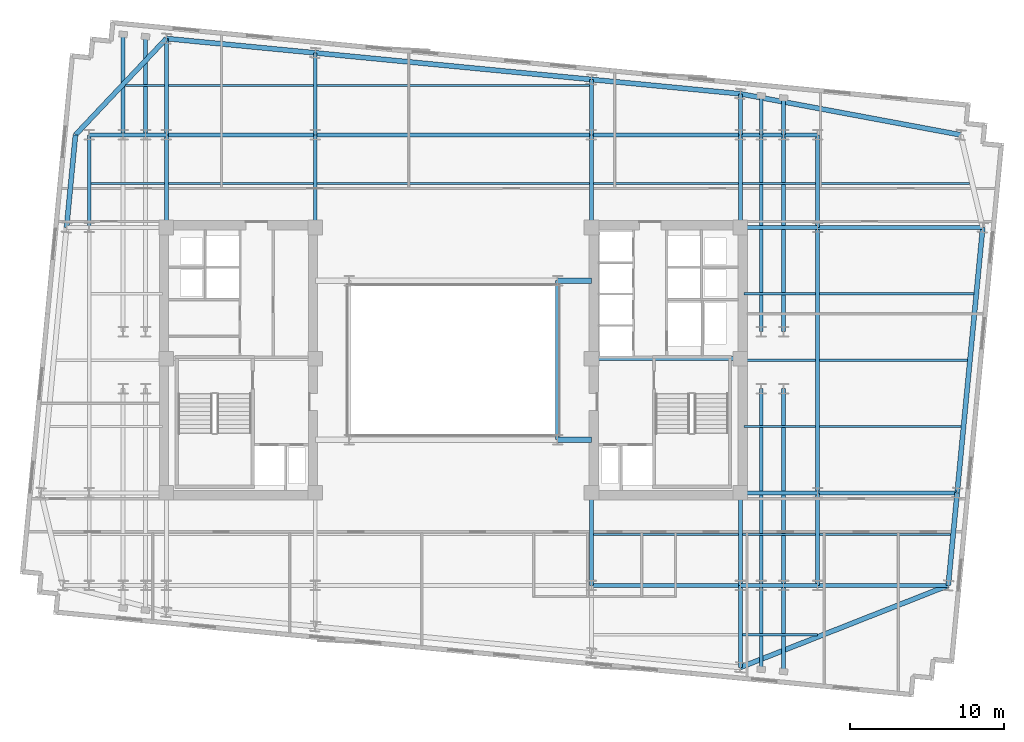
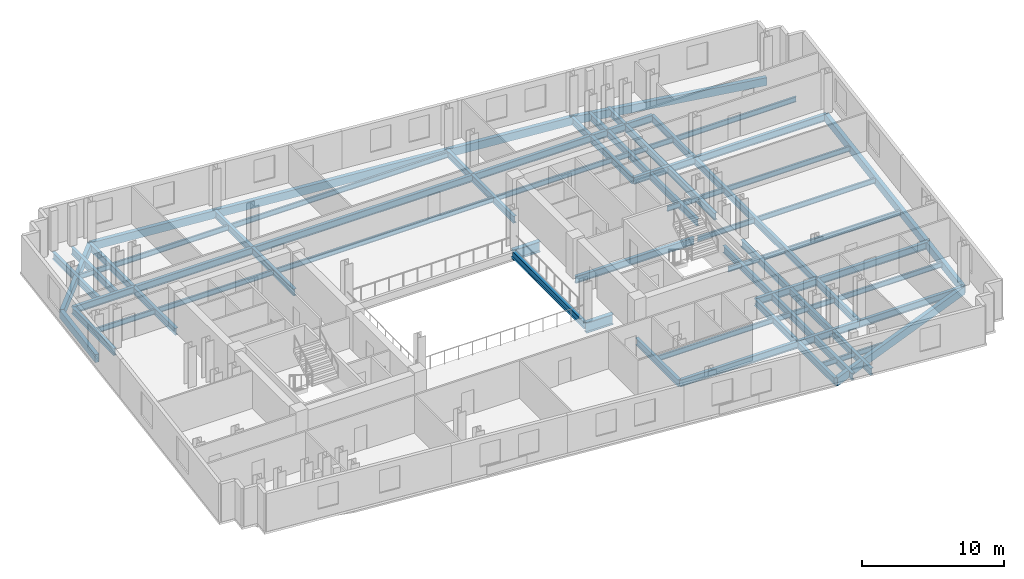
# One storey, part 2 of 9: 69 beams.
"""IFC4 building model written with IfcOpenShell, lengths in metres."""

from ifc_helpers import new_model, si_unit, direction, frame, origin, origin_2d, place, context, subcontext, project, spatial, rectangle, i_section, extrude, material, material_profile, profile_set, type_object, element, save


model = new_model("IFC4")

# Units and contexts
model_context = context("Model", 3, precision=1e-05, world=origin(), true_north=direction((0.0, 1.0)))
body_context = subcontext(model_context, "Body", "Model", "MODEL_VIEW")
ifc_project = project(units=[si_unit("LENGTHUNIT", "METRE"), si_unit("AREAUNIT", "SQUARE_METRE"), si_unit("VOLUMEUNIT", "CUBIC_METRE"), si_unit("PLANEANGLEUNIT", "RADIAN"), si_unit("MASSUNIT", "GRAM", prefix="KILO")], contexts=[model_context])

# Site, building, storey
site_placement = place(None, origin())
site = spatial("IfcSite", under=ifc_project, at=site_placement, CompositionType="ELEMENT")
building_placement = place(site_placement, origin())
building = spatial("IfcBuilding", under=site, at=building_placement, Name="Velakula Bourse", CompositionType="ELEMENT")
storey_placement = place(building_placement, frame((0.0, 0.0, 170.75)))
storey = spatial("IfcBuildingStorey", under=building, at=storey_placement, Name="L46", CompositionType="ELEMENT", Elevation=170.75)

# Beams
ifc_material_1 = material(Name="Steel IS 2062 Grade 350 (E350)", Category="steel")
ifc_material_profile_1 = material_profile(ifc_material_1, i_section(OverallWidth=0.25, OverallDepth=0.60009765625, WebThickness=0.01123046875, FlangeThickness=0.021240234375, at=origin_2d()), Name="Steel IS 2062 Grade 350 (E350)")
ifc_profile_set_1 = profile_set([ifc_material_profile_1], Name="Steel IS 2062 Grade 350 (E350)")
beam_type_1 = type_object("IfcBeamType", Name="BM-GRD-600M", PredefinedType="BEAM", material=ifc_profile_set_1)
beam_1_placement = place(storey_placement, frame((8.949951171875, 0.10009765625, -0.47998046875), z_axis=(1.0, 0.0, 0.0), x_axis=(0.0, 1.0, 0.0)))
element("IfcBeam", 1, at=beam_1_placement, inside=storey, type_object=beam_type_1, Name="L46 Primary Backbone Girder CRE-M", PredefinedType="BEAM", context=body_context, shape_type="SweptSolid", body=[
    extrude(i_section(OverallWidth=0.25, OverallDepth=0.60009765625, WebThickness=0.01123046875, FlangeThickness=0.021240234375, at=origin_2d()), origin(), (0.0, 0.0, 1.0), 9.650146484375),
])
beam_2_placement = place(storey_placement, frame((6.75, -5.14990234375, -0.47998046875), z_axis=(0.0, 1.0, 0.0), x_axis=(-1.0, 0.0, 0.0)))
element("IfcBeam", 2, at=beam_2_placement, inside=storey, type_object=beam_type_1, Name="L46 Primary Backbone Girder SPN-E", PredefinedType="BEAM", context=body_context, shape_type="SweptSolid", body=[
    extrude(i_section(OverallWidth=0.25, OverallDepth=0.60009765625, WebThickness=0.01123046875, FlangeThickness=0.021240234375, at=origin_2d()), origin(), (0.0, 0.0, 1.0), 10.2998046875),
])
for number, where, z_axis, x_axis, name in (
    (3, (-18.60009765625, 8.60009765625, -0.47998046875), (0.0, 1.0, 0.0), (-1.0, 0.0, 0.0), "L46 Fulcrum Grid Girder FLC-WN"),
    (4, (-8.949951171875, 8.60009765625, -0.47998046875), (0.0, 1.0, 0.0), (-1.0, 0.0, 0.0), "L46 Fulcrum Grid Girder FLC-WCN"),
    (5, (8.949951171875, -14.60009765625, -0.47998046875), (0.0, 1.0, 0.0), (-1.0, 0.0, 0.0), "L46 Fulcrum Grid Girder FLC-ECS"),
    (6, (8.949951171875, 8.60009765625, -0.47998046875), (0.0, 1.0, 0.0), (-1.0, 0.0, 0.0), "L46 Fulcrum Grid Girder FLC-ECN"),
    (7, (18.60009765625, -14.60009765625, -0.47998046875), (0.0, 1.0, 0.0), (-1.0, 0.0, 0.0), "L46 Fulcrum Grid Girder FLC-ES"),
    (8, (18.60009765625, 8.60009765625, -0.47998046875), (0.0, 1.0, 0.0), (-1.0, 0.0, 0.0), "L46 Fulcrum Grid Girder FLC-EN"),
):
    element("IfcBeam", number, at=place(storey_placement, frame(where, z_axis=z_axis, x_axis=x_axis)), inside=storey, type_object=beam_type_1, Name=name, PredefinedType="BEAM", context=body_context, shape_type="SweptSolid", body=[
        extrude(i_section(OverallWidth=0.25, OverallDepth=0.60009765625, WebThickness=0.01123046875, FlangeThickness=0.021240234375, at=origin_2d()), origin(), (0.0, 0.0, 1.0), 6.0),
    ])
for number, where, z_axis, x_axis, name in (
    (9, (8.949951171875, -14.60009765625, -0.47998046875), (1.0, 0.0, 0.0), (0.0, 1.0, 0.0), "L46 Fulcrum Grid Girder FLC-S3"),
    (10, (-18.60009765625, 14.60009765625, -0.47998046875), (1.0, 0.0, 0.0), (0.0, 1.0, 0.0), "L46 Fulcrum Grid Girder FLC-N1"),
):
    element("IfcBeam", number, at=place(storey_placement, frame(where, z_axis=z_axis, x_axis=x_axis)), inside=storey, type_object=beam_type_1, Name=name, PredefinedType="BEAM", context=body_context, shape_type="SweptSolid", body=[
        extrude(i_section(OverallWidth=0.25, OverallDepth=0.60009765625, WebThickness=0.01123046875, FlangeThickness=0.021240234375, at=origin_2d()), origin(), (0.0, 0.0, 1.0), 9.650146484375),
    ])
beam_3_placement = place(storey_placement, frame((-8.949951171875, 14.60009765625, -0.47998046875), z_axis=(1.0, 0.0, 0.0), x_axis=(0.0, 1.0, 0.0)))
element("IfcBeam", 11, at=beam_3_placement, inside=storey, type_object=beam_type_1, Name="L46 Fulcrum Grid Girder FLC-N2", PredefinedType="BEAM", context=body_context, shape_type="SweptSolid", body=[
    extrude(i_section(OverallWidth=0.25, OverallDepth=0.60009765625, WebThickness=0.01123046875, FlangeThickness=0.021240234375, at=origin_2d()), origin(), (0.0, 0.0, 1.0), 17.89990234375),
])
beam_4_placement = place(storey_placement, frame((8.949951171875, 14.60009765625, -0.47998046875), z_axis=(1.0, 0.0, 0.0), x_axis=(0.0, 1.0, 0.0)))
element("IfcBeam", 12, at=beam_4_placement, inside=storey, type_object=beam_type_1, Name="L46 Fulcrum Grid Girder FLC-N3", PredefinedType="BEAM", context=body_context, shape_type="SweptSolid", body=[
    extrude(i_section(OverallWidth=0.25, OverallDepth=0.60009765625, WebThickness=0.01123046875, FlangeThickness=0.021240234375, at=origin_2d()), origin(), (0.0, 0.0, 1.0), 9.650146484375),
])
for number, where, z_axis, x_axis, name in (
    (13, (19.949951171875, -14.60009765625, -0.47998046875), (0.0, 1.0, 0.0), (-1.0, 0.0, 0.0), "L46 Fulcrum Grid Girder FLC-PSE1"),
    (14, (19.949951171875, 1.85009765625, -0.47998046875), (0.0, 1.0, 0.0), (-1.0, 0.0, 0.0), "L46 Fulcrum Grid Girder FLC-PNE1"),
    (15, (21.39990234375, -14.60009765625, -0.47998046875), (0.0, 1.0, 0.0), (-1.0, 0.0, 0.0), "L46 Fulcrum Grid Girder FLC-PSE2"),
    (16, (21.39990234375, 1.85009765625, -0.47998046875), (0.0, 1.0, 0.0), (-1.0, 0.0, 0.0), "L46 Fulcrum Grid Girder FLC-PNE2"),
):
    element("IfcBeam", number, at=place(storey_placement, frame(where, z_axis=z_axis, x_axis=x_axis)), inside=storey, type_object=beam_type_1, Name=name, PredefinedType="BEAM", context=body_context, shape_type="SweptSolid", body=[
        extrude(i_section(OverallWidth=0.25, OverallDepth=0.60009765625, WebThickness=0.01123046875, FlangeThickness=0.021240234375, at=origin_2d()), origin(), (0.0, 0.0, 1.0), 12.75),
    ])
beam_5_placement = place(storey_placement, frame((-23.60009765625, 14.60009765625, -0.47998046875), z_axis=(1.0, 0.0, 0.0), x_axis=(0.0, 1.0, 0.0)))
element("IfcBeam", 17, at=beam_5_placement, inside=storey, type_object=beam_type_1, Name="L46 Fulcrum Grid Girder MWG-WN2", PredefinedType="BEAM", context=body_context, shape_type="SweptSolid", body=[
    extrude(i_section(OverallWidth=0.25, OverallDepth=0.60009765625, WebThickness=0.01123046875, FlangeThickness=0.021240234375, at=origin_2d()), origin(), (0.0, 0.0, 1.0), 5.0),
])
beam_6_placement = place(storey_placement, frame((-23.60009765625, 8.60009765625, -0.47998046875), z_axis=(0.0, 1.0, 0.0), x_axis=(-1.0, 0.0, 0.0)))
element("IfcBeam", 18, at=beam_6_placement, inside=storey, type_object=beam_type_1, Name="L46 Fulcrum Grid Girder MWG-WNS3", PredefinedType="BEAM", context=body_context, shape_type="SweptSolid", body=[
    extrude(i_section(OverallWidth=0.25, OverallDepth=0.60009765625, WebThickness=0.01123046875, FlangeThickness=0.021240234375, at=origin_2d()), origin(), (0.0, 0.0, 1.0), 6.0),
])
for number, where, z_axis, x_axis, name in (
    (19, (18.60009765625, -14.60009765625, -0.47998046875), (1.0, 0.0, 0.0), (0.0, 1.0, 0.0), "L46 Fulcrum Grid Girder MWG-ES1"),
    (20, (18.60009765625, -8.60009765625, -0.47998046875), (1.0, 0.0, 0.0), (0.0, 1.0, 0.0), "L46 Fulcrum Grid Girder MWG-ES2"),
    (21, (18.60009765625, 8.60009765625, -0.47998046875), (1.0, 0.0, 0.0), (0.0, 1.0, 0.0), "L46 Fulcrum Grid Girder MWG-EN1"),
    (22, (18.60009765625, 14.60009765625, -0.47998046875), (1.0, 0.0, 0.0), (0.0, 1.0, 0.0), "L46 Fulcrum Grid Girder MWG-EN2"),
):
    element("IfcBeam", number, at=place(storey_placement, frame(where, z_axis=z_axis, x_axis=x_axis)), inside=storey, type_object=beam_type_1, Name=name, PredefinedType="BEAM", context=body_context, shape_type="SweptSolid", body=[
        extrude(i_section(OverallWidth=0.25, OverallDepth=0.60009765625, WebThickness=0.01123046875, FlangeThickness=0.021240234375, at=origin_2d()), origin(), (0.0, 0.0, 1.0), 5.0),
    ])
beam_7_placement = place(storey_placement, frame((23.60009765625, -14.60009765625, -0.47998046875), z_axis=(0.0, 1.0, 0.0), x_axis=(-1.0, 0.0, 0.0)))
element("IfcBeam", 23, at=beam_7_placement, inside=storey, type_object=beam_type_1, Name="L46 Fulcrum Grid Girder MWG-ENS1", PredefinedType="BEAM", context=body_context, shape_type="SweptSolid", body=[
    extrude(i_section(OverallWidth=0.25, OverallDepth=0.60009765625, WebThickness=0.01123046875, FlangeThickness=0.021240234375, at=origin_2d()), origin(), (0.0, 0.0, 1.0), 6.0),
])
beam_8_placement = place(storey_placement, frame((23.60009765625, -8.60009765625, -0.47998046875), z_axis=(0.0, 1.0, 0.0), x_axis=(-1.0, 0.0, 0.0)))
element("IfcBeam", 24, at=beam_8_placement, inside=storey, type_object=beam_type_1, Name="L46 Fulcrum Grid Girder MWG-ENS2", PredefinedType="BEAM", context=body_context, shape_type="SweptSolid", body=[
    extrude(i_section(OverallWidth=0.25, OverallDepth=0.60009765625, WebThickness=0.01123046875, FlangeThickness=0.021240234375, at=origin_2d()), origin(), (0.0, 0.0, 1.0), 17.2001953125),
])
beam_9_placement = place(storey_placement, frame((23.60009765625, 8.60009765625, -0.47998046875), z_axis=(0.0, 1.0, 0.0), x_axis=(-1.0, 0.0, 0.0)))
element("IfcBeam", 25, at=beam_9_placement, inside=storey, type_object=beam_type_1, Name="L46 Fulcrum Grid Girder MWG-ENS3", PredefinedType="BEAM", context=body_context, shape_type="SweptSolid", body=[
    extrude(i_section(OverallWidth=0.25, OverallDepth=0.60009765625, WebThickness=0.01123046875, FlangeThickness=0.021240234375, at=origin_2d()), origin(), (0.0, 0.0, 1.0), 6.0),
])
beam_10_placement = place(storey_placement, frame((18.60009765625, -14.60009765625, -0.47998046875), z_axis=(0.0, -1.0, 0.0), x_axis=(1.0, 0.0, 0.0)))
element("IfcBeam", 26, at=beam_10_placement, inside=storey, type_object=beam_type_1, Name="L46 Perimeter Tie Girder S4", PredefinedType="BEAM", context=body_context, shape_type="SweptSolid", body=[
    extrude(i_section(OverallWidth=0.25, OverallDepth=0.60009765625, WebThickness=0.01123046875, FlangeThickness=0.021240234375, at=origin_2d()), origin(), (0.0, 0.0, 1.0), 5.310546875),
])
beam_11_placement = place(storey_placement, frame((-18.60009765625, 14.60009765625, -0.47998046875), z_axis=(0.0, 1.0, 0.0), x_axis=(-1.0, 0.0, 0.0)))
element("IfcBeam", 27, at=beam_11_placement, inside=storey, type_object=beam_type_1, Name="L46 Perimeter Tie Girder N1", PredefinedType="BEAM", context=body_context, shape_type="SweptSolid", body=[
    extrude(i_section(OverallWidth=0.25, OverallDepth=0.60009765625, WebThickness=0.01123046875, FlangeThickness=0.021240234375, at=origin_2d()), origin(), (0.0, 0.0, 1.0), 6.2421875),
])
beam_12_placement = place(storey_placement, frame((-8.949951171875, 14.60009765625, -0.47998046875), z_axis=(0.0, 1.0, 0.0), x_axis=(-1.0, 0.0, 0.0)))
element("IfcBeam", 28, at=beam_12_placement, inside=storey, type_object=beam_type_1, Name="L46 Perimeter Tie Girder N2", PredefinedType="BEAM", context=body_context, shape_type="SweptSolid", body=[
    extrude(i_section(OverallWidth=0.25, OverallDepth=0.60009765625, WebThickness=0.01123046875, FlangeThickness=0.021240234375, at=origin_2d()), origin(), (0.0, 0.0, 1.0), 5.31298828125),
])
beam_13_placement = place(storey_placement, frame((8.949951171875, 14.60009765625, -0.47998046875), z_axis=(0.0, 1.0, 0.0), x_axis=(-1.0, 0.0, 0.0)))
element("IfcBeam", 29, at=beam_13_placement, inside=storey, type_object=beam_type_1, Name="L46 Perimeter Tie Girder N3", PredefinedType="BEAM", context=body_context, shape_type="SweptSolid", body=[
    extrude(i_section(OverallWidth=0.25, OverallDepth=0.60009765625, WebThickness=0.01123046875, FlangeThickness=0.021240234375, at=origin_2d()), origin(), (0.0, 0.0, 1.0), 3.589599609375),
])
beam_14_placement = place(storey_placement, frame((18.60009765625, 14.60009765625, -0.47998046875), z_axis=(0.0, 1.0, 0.0), x_axis=(-1.0, 0.0, 0.0)))
element("IfcBeam", 30, at=beam_14_placement, inside=storey, type_object=beam_type_1, Name="L46 Perimeter Tie Girder N4", PredefinedType="BEAM", context=body_context, shape_type="SweptSolid", body=[
    extrude(i_section(OverallWidth=0.25, OverallDepth=0.60009765625, WebThickness=0.01123046875, FlangeThickness=0.021240234375, at=origin_2d()), origin(), (0.0, 0.0, 1.0), 2.660400390625),
])
beam_15_placement = place(storey_placement, frame((23.60009765625, -14.60009765625, -0.47998046875), z_axis=(1.0, 0.0, 0.0), x_axis=(0.0, 1.0, 0.0)))
element("IfcBeam", 31, at=beam_15_placement, inside=storey, type_object=beam_type_1, Name="L46 Perimeter Tie Girder E1", PredefinedType="BEAM", context=body_context, shape_type="SweptSolid", body=[
    extrude(i_section(OverallWidth=0.25, OverallDepth=0.60009765625, WebThickness=0.01123046875, FlangeThickness=0.021240234375, at=origin_2d()), origin(), (0.0, 0.0, 1.0), 8.47119140625),
])
beam_16_placement = place(storey_placement, frame((23.60009765625, -8.60009765625, -0.47998046875), z_axis=(1.0, 0.0, 0.0), x_axis=(0.0, 1.0, 0.0)))
element("IfcBeam", 32, at=beam_16_placement, inside=storey, type_object=beam_type_1, Name="L46 Perimeter Tie Girder E2", PredefinedType="BEAM", context=body_context, shape_type="SweptSolid", body=[
    extrude(i_section(OverallWidth=0.25, OverallDepth=0.60009765625, WebThickness=0.01123046875, FlangeThickness=0.021240234375, at=origin_2d()), origin(), (0.0, 0.0, 1.0), 9.048828125),
])
beam_17_placement = place(storey_placement, frame((23.60009765625, 8.60009765625, -0.47998046875), z_axis=(1.0, 0.0, 0.0), x_axis=(0.0, 1.0, 0.0)))
element("IfcBeam", 33, at=beam_17_placement, inside=storey, type_object=beam_type_1, Name="L46 Perimeter Tie Girder E3", PredefinedType="BEAM", context=body_context, shape_type="SweptSolid", body=[
    extrude(i_section(OverallWidth=0.25, OverallDepth=0.60009765625, WebThickness=0.01123046875, FlangeThickness=0.021240234375, at=origin_2d()), origin(), (0.0, 0.0, 1.0), 10.705078125),
])
beam_18_placement = place(storey_placement, frame((19.949951171875, -14.60009765625, -0.47998046875), z_axis=(0.0, -1.0, 0.0), x_axis=(1.0, 0.0, 0.0)))
element("IfcBeam", 34, at=beam_18_placement, inside=storey, type_object=beam_type_1, Name="L46 Perimeter Tie Girder P03", PredefinedType="BEAM", context=body_context, shape_type="SweptSolid", body=[
    extrude(i_section(OverallWidth=0.25, OverallDepth=0.60009765625, WebThickness=0.01123046875, FlangeThickness=0.021240234375, at=origin_2d()), origin(), (0.0, 0.0, 1.0), 5.4404296875),
])
beam_19_placement = place(storey_placement, frame((21.39990234375, -14.60009765625, -0.47998046875), z_axis=(0.0, -1.0, 0.0), x_axis=(1.0, 0.0, 0.0)))
element("IfcBeam", 35, at=beam_19_placement, inside=storey, type_object=beam_type_1, Name="L46 Perimeter Tie Girder P04", PredefinedType="BEAM", context=body_context, shape_type="SweptSolid", body=[
    extrude(i_section(OverallWidth=0.25, OverallDepth=0.60009765625, WebThickness=0.01123046875, FlangeThickness=0.021240234375, at=origin_2d()), origin(), (0.0, 0.0, 1.0), 5.580322265625),
])
beam_20_placement = place(storey_placement, frame((-21.39990234375, 14.60009765625, -0.47998046875), z_axis=(0.0, 1.0, 0.0), x_axis=(-1.0, 0.0, 0.0)))
element("IfcBeam", 36, at=beam_20_placement, inside=storey, type_object=beam_type_1, Name="L46 Perimeter Tie Girder P05", PredefinedType="BEAM", context=body_context, shape_type="SweptSolid", body=[
    extrude(i_section(OverallWidth=0.25, OverallDepth=0.60009765625, WebThickness=0.01123046875, FlangeThickness=0.021240234375, at=origin_2d()), origin(), (0.0, 0.0, 1.0), 6.511962890625),
])
beam_21_placement = place(storey_placement, frame((-19.949951171875, 14.60009765625, -0.47998046875), z_axis=(0.0, 1.0, 0.0), x_axis=(-1.0, 0.0, 0.0)))
element("IfcBeam", 37, at=beam_21_placement, inside=storey, type_object=beam_type_1, Name="L46 Perimeter Tie Girder P06", PredefinedType="BEAM", context=body_context, shape_type="SweptSolid", body=[
    extrude(i_section(OverallWidth=0.25, OverallDepth=0.60009765625, WebThickness=0.01123046875, FlangeThickness=0.021240234375, at=origin_2d()), origin(), (0.0, 0.0, 1.0), 6.372314453125),
])
beam_22_placement = place(storey_placement, frame((19.949951171875, 14.60009765625, -0.47998046875), z_axis=(0.0, 1.0, 0.0), x_axis=(-1.0, 0.0, 0.0)))
element("IfcBeam", 38, at=beam_22_placement, inside=storey, type_object=beam_type_1, Name="L46 Perimeter Tie Girder P07", PredefinedType="BEAM", context=body_context, shape_type="SweptSolid", body=[
    extrude(i_section(OverallWidth=0.25, OverallDepth=0.60009765625, WebThickness=0.01123046875, FlangeThickness=0.021240234375, at=origin_2d()), origin(), (0.0, 0.0, 1.0), 2.530517578125),
])
beam_23_placement = place(storey_placement, frame((21.39990234375, 14.60009765625, -0.47998046875), z_axis=(0.0, 1.0, 0.0), x_axis=(-1.0, 0.0, 0.0)))
element("IfcBeam", 39, at=beam_23_placement, inside=storey, type_object=beam_type_1, Name="L46 Perimeter Tie Girder P08", PredefinedType="BEAM", context=body_context, shape_type="SweptSolid", body=[
    extrude(i_section(OverallWidth=0.25, OverallDepth=0.60009765625, WebThickness=0.01123046875, FlangeThickness=0.021240234375, at=origin_2d()), origin(), (0.0, 0.0, 1.0), 2.390869140625),
])
ifc_material_profile_2 = material_profile(ifc_material_1, i_section(OverallWidth=0.35009765625, OverallDepth=0.89990234375, WebThickness=0.02001953125, FlangeThickness=0.031982421875, at=origin_2d()), Name="Steel IS 2062 Grade 350 (E350)")
ifc_profile_set_2 = profile_set([ifc_material_profile_2], Name="Steel IS 2062 Grade 350 (E350)")
beam_type_2 = type_object("IfcBeamType", Name="BM-LNK-900", PredefinedType="BEAM", material=ifc_profile_set_2)
for number, where, z_axis, x_axis, name in (
    (40, (6.75, -5.14990234375, -0.6298828125), (1.0, 0.0, 0.0), (0.0, 1.0, 0.0), "L46 Primary Backbone Girder LNK-S3"),
    (41, (6.75, 5.14990234375, -0.6298828125), (1.0, 0.0, 0.0), (0.0, 1.0, 0.0), "L46 Primary Backbone Girder LNK-N3"),
):
    element("IfcBeam", number, at=place(storey_placement, frame(where, z_axis=z_axis, x_axis=x_axis)), inside=storey, type_object=beam_type_2, Name=name, PredefinedType="BEAM", context=body_context, shape_type="SweptSolid", body=[
        extrude(i_section(OverallWidth=0.35009765625, OverallDepth=0.89990234375, WebThickness=0.02001953125, FlangeThickness=0.031982421875, at=origin_2d()), origin(), (0.0, 0.0, 1.0), 2.199951171875),
    ])
ifc_material_profile_3 = material_profile(ifc_material_1, i_section(OverallWidth=0.14990234375, OverallDepth=0.449951171875, WebThickness=0.009521484375, FlangeThickness=0.017333984375, at=origin_2d()), Name="Steel IS 2062 Grade 350 (E350)")
ifc_profile_set_3 = profile_set([ifc_material_profile_3], Name="Steel IS 2062 Grade 350 (E350)")
beam_type_3 = type_object("IfcBeamType", Name="JST-TWR-450", PredefinedType="JOIST", material=ifc_profile_set_3)
beam_24_placement = place(storey_placement, frame((18.72509765625, -17.800048828125, -0.405029296875), z_axis=(1.0, 0.0, 0.0), x_axis=(0.0, 1.0, 0.0)))
element("IfcBeam", 42, at=beam_24_placement, inside=storey, type_object=beam_type_3, Name="L46 Trading Floor Composite Joist 03", PredefinedType="JOIST", context=body_context, shape_type="SweptSolid", body=[
    extrude(i_section(OverallWidth=0.14990234375, OverallDepth=0.449951171875, WebThickness=0.009521484375, FlangeThickness=0.017333984375, at=origin_2d()), origin(), (0.0, 0.0, 1.0), 4.875),
])
beam_25_placement = place(storey_placement, frame((9.074951171875, -11.300048828125, -0.405029296875), z_axis=(1.0, 0.0, 0.0), x_axis=(0.0, 1.0, 0.0)))
element("IfcBeam", 43, at=beam_25_placement, inside=storey, type_object=beam_type_3, Name="L46 Trading Floor Composite Joist 08", PredefinedType="JOIST", context=body_context, shape_type="SweptSolid", body=[
    extrude(i_section(OverallWidth=0.14990234375, OverallDepth=0.449951171875, WebThickness=0.009521484375, FlangeThickness=0.017333984375, at=origin_2d()), origin(), (0.0, 0.0, 1.0), 9.400146484375),
])
beam_26_placement = place(storey_placement, frame((18.72509765625, -11.300048828125, -0.405029296875), z_axis=(1.0, 0.0, 0.0), x_axis=(0.0, 1.0, 0.0)))
element("IfcBeam", 44, at=beam_26_placement, inside=storey, type_object=beam_type_3, Name="L46 Trading Floor Composite Joist 09", PredefinedType="JOIST", context=body_context, shape_type="SweptSolid", body=[
    extrude(i_section(OverallWidth=0.14990234375, OverallDepth=0.449951171875, WebThickness=0.009521484375, FlangeThickness=0.017333984375, at=origin_2d()), origin(), (0.0, 0.0, 1.0), 4.75),
])
beam_27_placement = place(storey_placement, frame((23.72509765625, -11.300048828125, -0.405029296875), z_axis=(1.0, 0.0, 0.0), x_axis=(0.0, 1.0, 0.0)))
element("IfcBeam", 45, at=beam_27_placement, inside=storey, type_object=beam_type_3, Name="L46 Trading Floor Composite Joist 10", PredefinedType="JOIST", context=body_context, shape_type="SweptSolid", body=[
    extrude(i_section(OverallWidth=0.14990234375, OverallDepth=0.449951171875, WebThickness=0.009521484375, FlangeThickness=0.017333984375, at=origin_2d()), origin(), (0.0, 0.0, 1.0), 8.503173828125),
])
beam_28_placement = place(storey_placement, frame((-23.47509765625, 11.449951171875, -0.405029296875), z_axis=(1.0, 0.0, 0.0), x_axis=(0.0, 1.0, 0.0)))
element("IfcBeam", 46, at=beam_28_placement, inside=storey, type_object=beam_type_3, Name="L46 Trading Floor Composite Joist 11", PredefinedType="JOIST", context=body_context, shape_type="SweptSolid", body=[
    extrude(i_section(OverallWidth=0.14990234375, OverallDepth=0.449951171875, WebThickness=0.009521484375, FlangeThickness=0.017333984375, at=origin_2d()), origin(), (0.0, 0.0, 1.0), 4.75),
])
beam_29_placement = place(storey_placement, frame((-18.47509765625, 11.449951171875, -0.405029296875), z_axis=(1.0, 0.0, 0.0), x_axis=(0.0, 1.0, 0.0)))
element("IfcBeam", 47, at=beam_29_placement, inside=storey, type_object=beam_type_3, Name="L46 Trading Floor Composite Joist 12", PredefinedType="JOIST", context=body_context, shape_type="SweptSolid", body=[
    extrude(i_section(OverallWidth=0.14990234375, OverallDepth=0.449951171875, WebThickness=0.009521484375, FlangeThickness=0.017333984375, at=origin_2d()), origin(), (0.0, 0.0, 1.0), 9.400146484375),
])
beam_30_placement = place(storey_placement, frame((-8.824951171875, 11.449951171875, -0.405029296875), z_axis=(1.0, 0.0, 0.0), x_axis=(0.0, 1.0, 0.0)))
element("IfcBeam", 48, at=beam_30_placement, inside=storey, type_object=beam_type_3, Name="L46 Trading Floor Composite Joist 13", PredefinedType="JOIST", context=body_context, shape_type="SweptSolid", body=[
    extrude(i_section(OverallWidth=0.14990234375, OverallDepth=0.449951171875, WebThickness=0.009521484375, FlangeThickness=0.017333984375, at=origin_2d()), origin(), (0.0, 0.0, 1.0), 17.64990234375),
])
beam_31_placement = place(storey_placement, frame((9.074951171875, 11.449951171875, -0.405029296875), z_axis=(1.0, 0.0, 0.0), x_axis=(0.0, 1.0, 0.0)))
element("IfcBeam", 49, at=beam_31_placement, inside=storey, type_object=beam_type_3, Name="L46 Trading Floor Composite Joist 14", PredefinedType="JOIST", context=body_context, shape_type="SweptSolid", body=[
    extrude(i_section(OverallWidth=0.14990234375, OverallDepth=0.449951171875, WebThickness=0.009521484375, FlangeThickness=0.017333984375, at=origin_2d()), origin(), (0.0, 0.0, 1.0), 9.400146484375),
])
beam_32_placement = place(storey_placement, frame((18.72509765625, 11.449951171875, -0.405029296875), z_axis=(1.0, 0.0, 0.0), x_axis=(0.0, 1.0, 0.0)))
element("IfcBeam", 50, at=beam_32_placement, inside=storey, type_object=beam_type_3, Name="L46 Trading Floor Composite Joist 15", PredefinedType="JOIST", context=body_context, shape_type="SweptSolid", body=[
    extrude(i_section(OverallWidth=0.14990234375, OverallDepth=0.449951171875, WebThickness=0.009521484375, FlangeThickness=0.017333984375, at=origin_2d()), origin(), (0.0, 0.0, 1.0), 4.75),
])
beam_33_placement = place(storey_placement, frame((23.72509765625, 11.449951171875, -0.405029296875), z_axis=(1.0, 0.0, 0.0), x_axis=(0.0, 1.0, 0.0)))
element("IfcBeam", 51, at=beam_33_placement, inside=storey, type_object=beam_type_3, Name="L46 Trading Floor Composite Joist 16", PredefinedType="JOIST", context=body_context, shape_type="SweptSolid", body=[
    extrude(i_section(OverallWidth=0.14990234375, OverallDepth=0.449951171875, WebThickness=0.009521484375, FlangeThickness=0.017333984375, at=origin_2d()), origin(), (0.0, 0.0, 1.0), 9.735595703125),
])
beam_34_placement = place(storey_placement, frame((-21.2509765625, 17.800048828125, -0.405029296875), z_axis=(1.0, 0.0, 0.0), x_axis=(0.0, 1.0, 0.0)))
element("IfcBeam", 52, at=beam_34_placement, inside=storey, type_object=beam_type_3, Name="L46 Trading Floor Composite Joist 17", PredefinedType="JOIST", context=body_context, shape_type="SweptSolid", body=[
    extrude(i_section(OverallWidth=0.14990234375, OverallDepth=0.449951171875, WebThickness=0.009521484375, FlangeThickness=0.017333984375, at=origin_2d()), origin(), (0.0, 0.0, 1.0), 2.52587890625),
])
beam_35_placement = place(storey_placement, frame((-18.47509765625, 17.800048828125, -0.405029296875), z_axis=(1.0, 0.0, 0.0), x_axis=(0.0, 1.0, 0.0)))
element("IfcBeam", 53, at=beam_35_placement, inside=storey, type_object=beam_type_3, Name="L46 Trading Floor Composite Joist 18", PredefinedType="JOIST", context=body_context, shape_type="SweptSolid", body=[
    extrude(i_section(OverallWidth=0.14990234375, OverallDepth=0.449951171875, WebThickness=0.009521484375, FlangeThickness=0.017333984375, at=origin_2d()), origin(), (0.0, 0.0, 1.0), 9.400146484375),
])
beam_36_placement = place(storey_placement, frame((-8.824951171875, 17.800048828125, -0.405029296875), z_axis=(1.0, 0.0, 0.0), x_axis=(0.0, 1.0, 0.0)))
element("IfcBeam", 54, at=beam_36_placement, inside=storey, type_object=beam_type_3, Name="L46 Trading Floor Composite Joist 19", PredefinedType="JOIST", context=body_context, shape_type="SweptSolid", body=[
    extrude(i_section(OverallWidth=0.14990234375, OverallDepth=0.449951171875, WebThickness=0.009521484375, FlangeThickness=0.017333984375, at=origin_2d()), origin(), (0.0, 0.0, 1.0), 17.64990234375),
])
beam_37_placement = place(storey_placement, frame((18.85009765625, -4.300048828125, -0.405029296875), z_axis=(1.0, 0.0, 0.0), x_axis=(0.0, 1.0, 0.0)))
element("IfcBeam", 55, at=beam_37_placement, inside=storey, type_object=beam_type_3, Name="L46 Trading Floor Composite Joist 23", PredefinedType="JOIST", context=body_context, shape_type="SweptSolid", body=[
    extrude(i_section(OverallWidth=0.14990234375, OverallDepth=0.449951171875, WebThickness=0.009521484375, FlangeThickness=0.017333984375, at=origin_2d()), origin(), (0.0, 0.0, 1.0), 4.625),
])
beam_38_placement = place(storey_placement, frame((23.72509765625, -4.300048828125, -0.405029296875), z_axis=(1.0, 0.0, 0.0), x_axis=(0.0, 1.0, 0.0)))
element("IfcBeam", 56, at=beam_38_placement, inside=storey, type_object=beam_type_3, Name="L46 Trading Floor Composite Joist 24", PredefinedType="JOIST", context=body_context, shape_type="SweptSolid", body=[
    extrude(i_section(OverallWidth=0.14990234375, OverallDepth=0.449951171875, WebThickness=0.009521484375, FlangeThickness=0.017333984375, at=origin_2d()), origin(), (0.0, 0.0, 1.0), 9.17724609375),
])
beam_39_placement = place(storey_placement, frame((18.85009765625, 0.0, -0.405029296875), z_axis=(1.0, 0.0, 0.0), x_axis=(0.0, 1.0, 0.0)))
element("IfcBeam", 57, at=beam_39_placement, inside=storey, type_object=beam_type_3, Name="L46 Trading Floor Composite Joist 27", PredefinedType="JOIST", context=body_context, shape_type="SweptSolid", body=[
    extrude(i_section(OverallWidth=0.14990234375, OverallDepth=0.449951171875, WebThickness=0.009521484375, FlangeThickness=0.017333984375, at=origin_2d()), origin(), (0.0, 0.0, 1.0), 4.625),
])
beam_40_placement = place(storey_placement, frame((23.72509765625, 0.0, -0.405029296875), z_axis=(1.0, 0.0, 0.0), x_axis=(0.0, 1.0, 0.0)))
element("IfcBeam", 58, at=beam_40_placement, inside=storey, type_object=beam_type_3, Name="L46 Trading Floor Composite Joist 28", PredefinedType="JOIST", context=body_context, shape_type="SweptSolid", body=[
    extrude(i_section(OverallWidth=0.14990234375, OverallDepth=0.449951171875, WebThickness=0.009521484375, FlangeThickness=0.017333984375, at=origin_2d()), origin(), (0.0, 0.0, 1.0), 9.59130859375),
])
beam_41_placement = place(storey_placement, frame((18.85009765625, 4.300048828125, -0.405029296875), z_axis=(1.0, 0.0, 0.0), x_axis=(0.0, 1.0, 0.0)))
element("IfcBeam", 59, at=beam_41_placement, inside=storey, type_object=beam_type_3, Name="L46 Trading Floor Composite Joist 30", PredefinedType="JOIST", context=body_context, shape_type="SweptSolid", body=[
    extrude(i_section(OverallWidth=0.14990234375, OverallDepth=0.449951171875, WebThickness=0.009521484375, FlangeThickness=0.017333984375, at=origin_2d()), origin(), (0.0, 0.0, 1.0), 4.625),
])
beam_42_placement = place(storey_placement, frame((23.72509765625, 4.300048828125, -0.405029296875), z_axis=(1.0, 0.0, 0.0), x_axis=(0.0, 1.0, 0.0)))
element("IfcBeam", 60, at=beam_42_placement, inside=storey, type_object=beam_type_3, Name="L46 Trading Floor Composite Joist 31", PredefinedType="JOIST", context=body_context, shape_type="SweptSolid", body=[
    extrude(i_section(OverallWidth=0.14990234375, OverallDepth=0.449951171875, WebThickness=0.009521484375, FlangeThickness=0.017333984375, at=origin_2d()), origin(), (0.0, 0.0, 1.0), 10.005126953125),
])
ifc_material_2 = material(Name="Precast concrete M45 (fck 45 MPa)", Category="concrete")
ifc_material_profile_4 = material_profile(ifc_material_2, rectangle(XDim=0.320068359375, YDim=0.679931640625, at=origin_2d()), Name="Precast concrete M45 (fck 45 MPa)")
ifc_profile_set_4 = profile_set([ifc_material_profile_4], Name="Precast concrete M45 (fck 45 MPa)")
beam_type_4 = type_object("IfcBeamType", Name="SPN-BRICK-680", PredefinedType="SPANDREL", material=ifc_profile_set_4)
beam_43_placement = place(storey_placement, frame((-18.60009765625, 20.84228515625, -0.52001953125), z_axis=(0.99539623971, -0.095845323155, 0.0), x_axis=(0.095845323155, 0.99539623971, 0.0)))
element("IfcBeam", 61, at=beam_43_placement, inside=storey, type_object=beam_type_4, Name="L46 Brick-Faced Precast Spandrel N1-N2", PredefinedType="SPANDREL", context=body_context, shape_type="SweptSolid", body=[
    extrude(rectangle(XDim=0.320068359375, YDim=0.679931640625, at=origin_2d()), origin(), (0.0, 0.0, 1.0), 9.69482421875),
])
beam_44_placement = place(storey_placement, frame((-8.949951171875, 19.9130859375, -0.52001953125), z_axis=(0.995397131467, -0.095836061418, 0.0), x_axis=(0.095836061418, 0.995397131467, 0.0)))
element("IfcBeam", 62, at=beam_44_placement, inside=storey, type_object=beam_type_4, Name="L46 Brick-Faced Precast Spandrel N2-N3", PredefinedType="SPANDREL", context=body_context, shape_type="SweptSolid", body=[
    extrude(rectangle(XDim=0.320068359375, YDim=0.679931640625, at=origin_2d()), origin(), (0.0, 0.0, 1.0), 17.982666015625),
])
beam_45_placement = place(storey_placement, frame((8.949951171875, 18.189697265625, -0.52001953125), z_axis=(0.99539623971, -0.095845323155, 0.0), x_axis=(0.095845323155, 0.99539623971, 0.0)))
element("IfcBeam", 63, at=beam_45_placement, inside=storey, type_object=beam_type_4, Name="L46 Brick-Faced Precast Spandrel N3-N4", PredefinedType="SPANDREL", context=body_context, shape_type="SweptSolid", body=[
    extrude(rectangle(XDim=0.320068359375, YDim=0.679931640625, at=origin_2d()), origin(), (0.0, 0.0, 1.0), 9.69482421875),
])
for number, where, z_axis, x_axis, name in (
    (64, (-25.068115234375, 8.60009765625, -0.52001953125), (0.095829714309, 0.995397742541, 0.0), (-0.995397742541, 0.095829714309, 0.0), "L46 Brick-Faced Precast Spandrel W3-W4"),
    (65, (32.0712890625, -14.60009765625, -0.52001953125), (0.095829714309, 0.995397742541, 0.0), (-0.995397742541, 0.095829714309, 0.0), "L46 Brick-Faced Precast Spandrel E1-E2"),
):
    element("IfcBeam", number, at=place(storey_placement, frame(where, z_axis=z_axis, x_axis=x_axis)), inside=storey, type_object=beam_type_4, Name=name, PredefinedType="SPANDREL", context=body_context, shape_type="SweptSolid", body=[
        extrude(rectangle(XDim=0.320068359375, YDim=0.679931640625, at=origin_2d()), origin(), (0.0, 0.0, 1.0), 6.02783203125),
    ])
beam_46_placement = place(storey_placement, frame((32.64892578125, -8.60009765625, -0.52001953125), z_axis=(0.095849167925, 0.995395869495, 0.0), x_axis=(-0.995395869495, 0.095849167925, 0.0)))
element("IfcBeam", 66, at=beam_46_placement, inside=storey, type_object=beam_type_4, Name="L46 Brick-Faced Precast Spandrel E2-E3", PredefinedType="SPANDREL", context=body_context, shape_type="SweptSolid", body=[
    extrude(rectangle(XDim=0.320068359375, YDim=0.679931640625, at=origin_2d()), origin(), (0.0, 0.0, 1.0), 17.27978515625),
])
beam_47_placement = place(storey_placement, frame((18.60009765625, -19.91064453125, -0.52001953125), z_axis=(0.930320901537, 0.366746533949, 0.0), x_axis=(-0.366746533949, 0.930320901537, 0.0)))
element("IfcBeam", 67, at=beam_47_placement, inside=storey, type_object=beam_type_4, Name="L46 Brick-Faced Precast Spandrel S4-E1", PredefinedType="SPANDREL", context=body_context, shape_type="SweptSolid", body=[
    extrude(rectangle(XDim=0.320068359375, YDim=0.679931640625, at=origin_2d()), origin(), (0.0, 0.0, 1.0), 14.480224609375),
])
beam_48_placement = place(storey_placement, frame((32.87353515625, 14.60009765625, -0.52001953125), z_axis=(-0.983069592122, 0.183232576378, 0.0), x_axis=(-0.183232576378, -0.983069592122, 0.0)))
element("IfcBeam", 68, at=beam_48_placement, inside=storey, type_object=beam_type_4, Name="L46 Brick-Faced Precast Spandrel E4-N4", PredefinedType="SPANDREL", context=body_context, shape_type="SweptSolid", body=[
    extrude(rectangle(XDim=0.320068359375, YDim=0.679931640625, at=origin_2d()), origin(), (0.0, 0.0, 1.0), 14.519287109375),
])
beam_49_placement = place(storey_placement, frame((-18.60009765625, 20.84228515625, -0.52001953125), z_axis=(-0.686314417505, -0.727304970645, 0.0), x_axis=(0.727304970645, -0.686314417505, 0.0)))
element("IfcBeam", 69, at=beam_49_placement, inside=storey, type_object=beam_type_4, Name="L46 Brick-Faced Precast Spandrel N1-W4", PredefinedType="SPANDREL", context=body_context, shape_type="SweptSolid", body=[
    extrude(rectangle(XDim=0.320068359375, YDim=0.679931640625, at=origin_2d()), origin(), (0.0, 0.0, 1.0), 8.58251953125),
])

save(model, "model.ifc")
